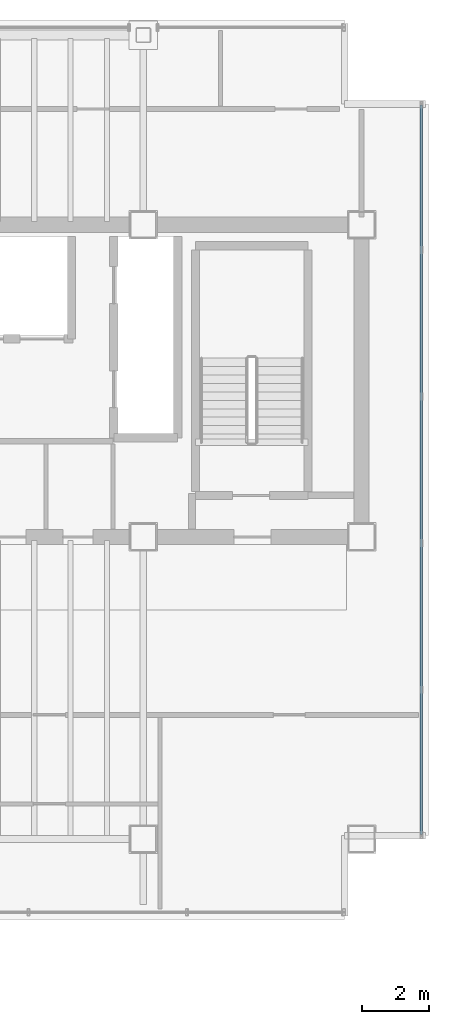
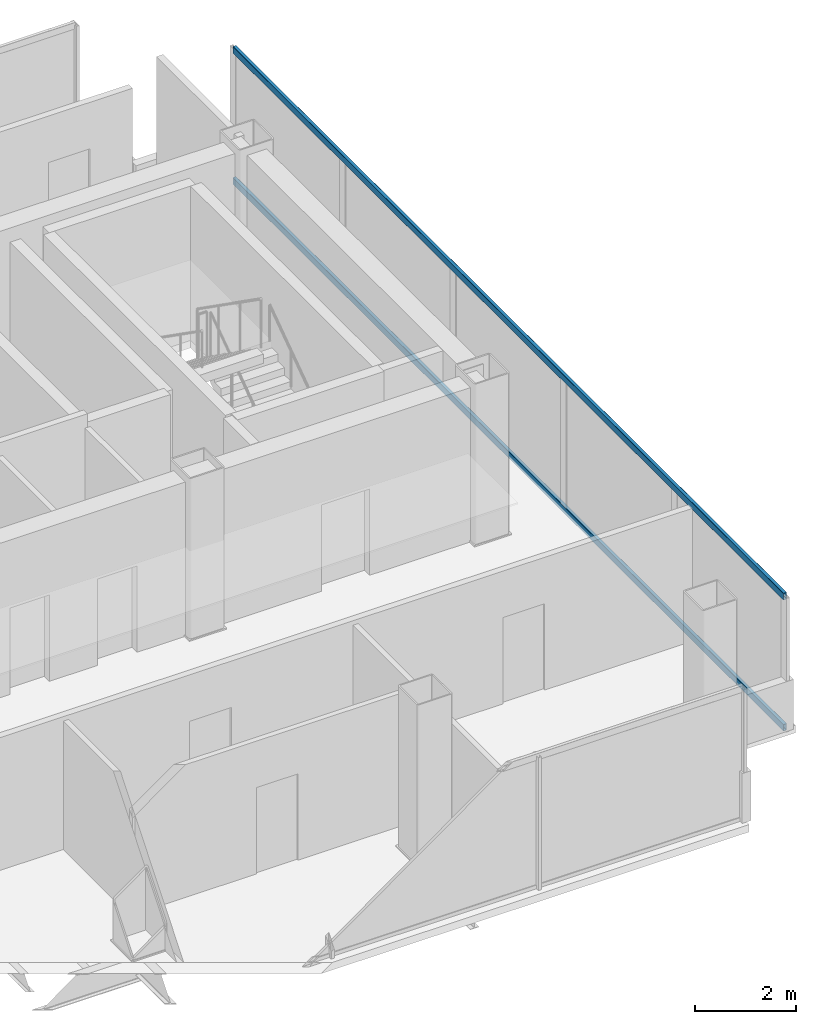
# One storey, part 11 of 16: 2 members, 1 element without a shape of its own.
"""IFC4 building model written with IfcOpenShell, lengths in metres."""

from ifc_helpers import new_model, si_unit, direction, frame, origin, origin_2d, place, context, subcontext, project, spatial, hollow_rectangle, extrude, material, material_profile, profile_set, type_object, element, aggregate, save


model = new_model("IFC4")

# Units and contexts
model_context = context("Model", 3, precision=1e-05, world=origin(), true_north=direction((0.0, 1.0)))
body_context = subcontext(model_context, "Body", "Model", "MODEL_VIEW")
ifc_project = project(units=[si_unit("LENGTHUNIT", "METRE"), si_unit("AREAUNIT", "SQUARE_METRE"), si_unit("VOLUMEUNIT", "CUBIC_METRE"), si_unit("PLANEANGLEUNIT", "RADIAN"), si_unit("MASSUNIT", "GRAM", prefix="KILO")], contexts=[model_context])

# Site, building, storey
site_placement = place(None, origin())
site = spatial("IfcSite", under=ifc_project, at=site_placement, CompositionType="ELEMENT")
building_placement = place(site_placement, origin())
building = spatial("IfcBuilding", under=site, at=building_placement, Name="Noeulbin Bourse Tower", CompositionType="ELEMENT")
storey_placement = place(building_placement, frame((0.0, 0.0, 269.60009765625)))
storey = spatial("IfcBuildingStorey", under=building, at=storey_placement, Name="L67", CompositionType="ELEMENT", Elevation=269.60009765625)

# Curtain wall, members
ifc_material_1 = material(Name="High-Selectivity Low-Iron Glazing", Category="glass")
curtain_wall_type = type_object("IfcCurtainWallType", Name="CW-SYS-4", PredefinedType="NOTDEFINED", material=ifc_material_1)
curtain_wall_placement = place(storey_placement, origin())
curtain_wall = element("IfcCurtainWall", 1, at=curtain_wall_placement, inside=storey, type_object=curtain_wall_type, Name="Unitised Curtain Wall CW-L67-E", PredefinedType="NOTDEFINED")
ifc_material_2 = material(Name="Anodised Aluminium 6063-T6", Category="aluminium")
ifc_material_profile = material_profile(ifc_material_2, hollow_rectangle(XDim=0.074951171875, YDim=0.159912109375, WallThickness=0.0048828125, InnerFilletRadius=0.00244140625, OuterFilletRadius=0.0048828125, at=origin_2d()), Name="ALU-TRAN-75x160x5", Category="LoadBearing")
ifc_profile_set = profile_set([ifc_material_profile], Name="Anodised Aluminium 6063-T6")
member_type = type_object("IfcMemberType", Name="CW-SYS-4-TRN", PredefinedType="USERDEFINED", material=ifc_profile_set)
member_1_placement = place(storey_placement, frame((45.780029296875, 20.1298828125, 0.010009765625), z_axis=(0.0, 1.0, 0.0), x_axis=(-1.0, 0.0, 0.0)))
member_1 = element("IfcMember", 2, at=member_1_placement, type_object=member_type, Name="Curtain Wall Transom CW-L67-E-T00", ObjectType="TRANSOM", PredefinedType="USERDEFINED", context=body_context, shape_type="SweptSolid", body=[
    extrude(hollow_rectangle(XDim=0.074951171875, YDim=0.159912109375, WallThickness=0.0048828125, InnerFilletRadius=0.00244140625, OuterFilletRadius=0.0048828125, at=origin_2d()), origin(), (0.0, 0.0, 1.0), 21.740234375),
])
member_2_placement = place(storey_placement, frame((45.780029296875, 20.1298828125, 3.169921875), z_axis=(0.0, 1.0, 0.0), x_axis=(-1.0, 0.0, 0.0)))
member_2 = element("IfcMember", 3, at=member_2_placement, type_object=member_type, Name="Curtain Wall Transom CW-L67-E-T01", ObjectType="TRANSOM", PredefinedType="USERDEFINED", context=body_context, shape_type="SweptSolid", body=[
    extrude(hollow_rectangle(XDim=0.074951171875, YDim=0.159912109375, WallThickness=0.0048828125, InnerFilletRadius=0.00244140625, OuterFilletRadius=0.0048828125, at=origin_2d()), origin(), (0.0, 0.0, 1.0), 21.740234375),
])
aggregate(curtain_wall, [member_1, member_2])

save(model, "model.ifc")
